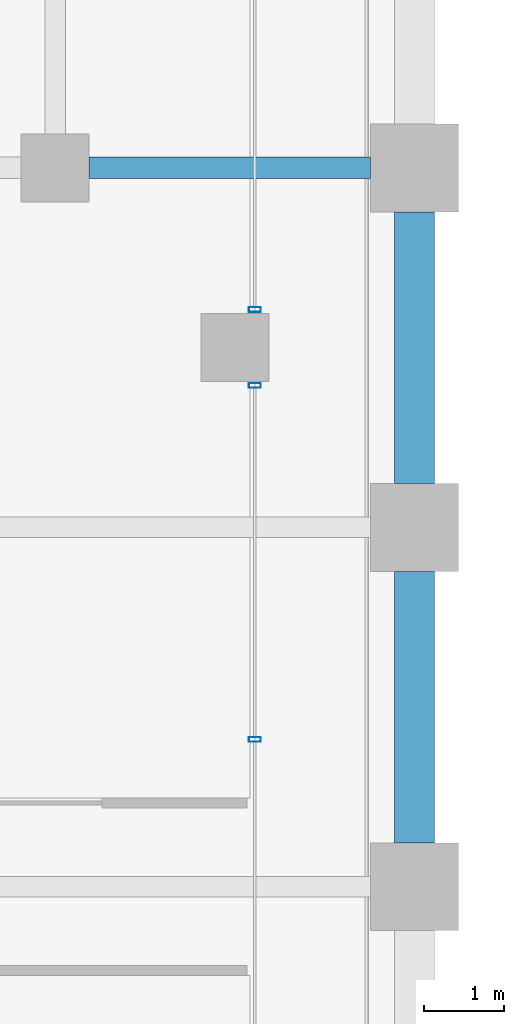
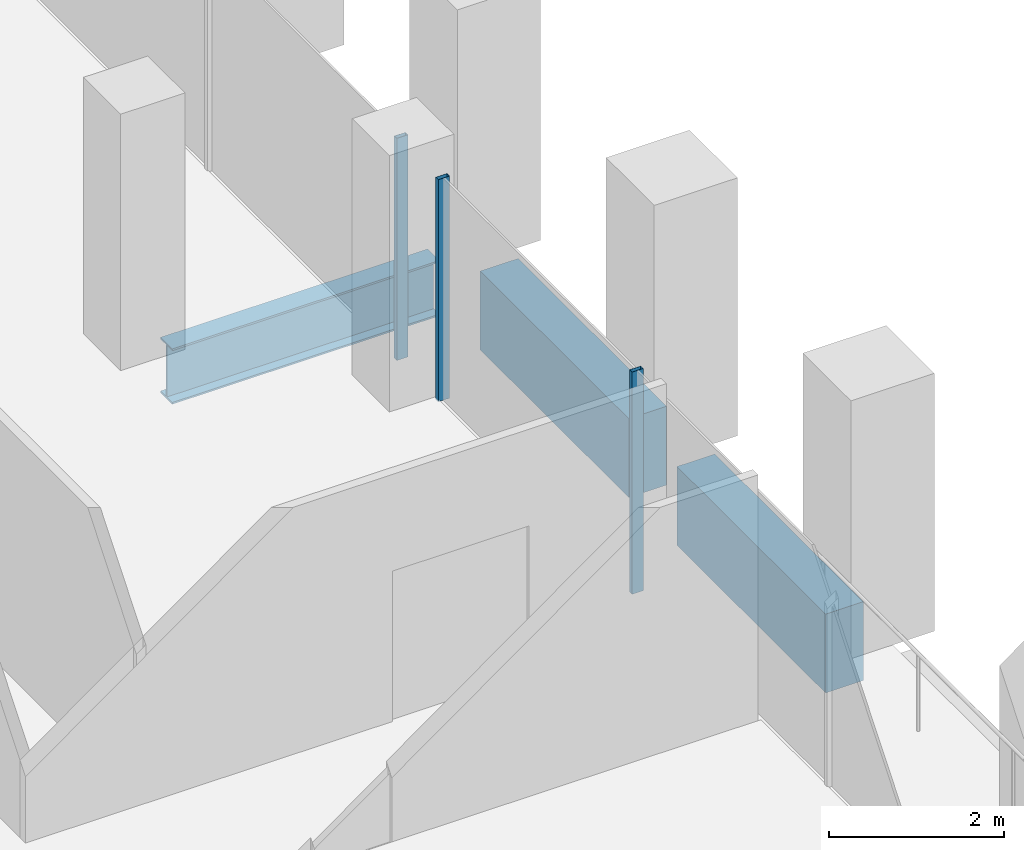
# One storey, part 22 of 54: 3 beams, 3 members, 2 elements without a shape of their own.
"""IFC4 building model written with IfcOpenShell, lengths in metres."""

import ifcopenshell
import ifcopenshell.guid

model = None  # the IFC model being written
_history = None  # IfcOwnerHistory: only IFC2X3 demands one
_inside = {}  # id of a spatial element -> (the spatial element, [elements in it])
_under = {}  # id of a project, library or spatial element -> (it, [spatial elements below it])
_declared = {}  # id of a project -> (the project, [libraries it declares])
_typed = {}  # id of a type object -> (the type object, [elements of that type])
_made_of = {}  # id of a material, layer set ... -> (it, [elements and type objects made of it])


def new_model(schema):
    """Start an empty IFC model of exactly this schema.

    Asked for "IFC4X3", IfcOpenShell would pick the latest addendum, in which some entities
    have other attributes; the version numbers below select the first issue.
    IFC2X3 requires an IfcOwnerHistory on every rooted entity: one is made here for all.
    """
    global model, _history
    if schema == "IFC4X3":
        model = ifcopenshell.file(schema_version=(4, 3, 0, 0))
    else:
        model = ifcopenshell.file(schema=schema)
    _inside.clear()
    _under.clear()
    _declared.clear()
    _typed.clear()
    _made_of.clear()
    _history = None
    if model.schema == "IFC2X3":
        org = make("IfcOrganization", Name="unknown")
        user = make(
            "IfcPersonAndOrganization",
            ThePerson=make("IfcPerson", FamilyName="unknown"),
            TheOrganization=org,
        )
        app = make(
            "IfcApplication",
            ApplicationDeveloper=org,
            Version="unknown",
            ApplicationFullName="unknown",
            ApplicationIdentifier="unknown",
        )
        _history = make(
            "IfcOwnerHistory",
            OwningUser=user,
            OwningApplication=app,
            ChangeAction="ADDED",
            CreationDate=0,
        )
    return model


def make(cls, **values):
    """One entity of the class cls with the attributes given. An attribute that is None is left unset."""
    return model.create_entity(
        cls, **{name: value for name, value in values.items() if value is not None}
    )


def rooted(cls, **values):
    """An entity with a GlobalId (a new one), such as an element, a storey or a relation."""
    return make(cls, GlobalId=ifcopenshell.guid.new(), OwnerHistory=_history, **values)


def si_unit(unit_type, name, prefix=None):
    """IfcSIUnit, for example si_unit("LENGTHUNIT", "METRE", prefix="MILLI")."""
    return make("IfcSIUnit", UnitType=unit_type, Prefix=prefix, Name=name)


def assignment(units):
    """IfcUnitAssignment: the units of a project."""
    return None if units is None else make("IfcUnitAssignment", Units=units)


def point(xyz):
    """IfcCartesianPoint."""
    return None if xyz is None else make("IfcCartesianPoint", Coordinates=xyz)


def direction(xyz):
    """IfcDirection."""
    return None if xyz is None else make("IfcDirection", DirectionRatios=xyz)


def frame(location, z_axis=None, x_axis=None):
    """IfcAxis2Placement3D, a coordinate frame: its origin and axes. An axis left out is left unset."""
    return make(
        "IfcAxis2Placement3D",
        Location=point(location),
        Axis=direction(z_axis),
        RefDirection=direction(x_axis),
    )


def frame_2d(location, x_axis=None):
    """IfcAxis2Placement2D, a coordinate frame in the plane: its origin and x axis."""
    return make(
        "IfcAxis2Placement2D", Location=point(location), RefDirection=direction(x_axis)
    )


def origin():
    """The frame at (0, 0, 0) with its axes left unset."""
    return frame((0.0, 0.0, 0.0))


def origin_2d():
    """The frame at (0, 0) in the plane with its x axis left unset."""
    return frame_2d((0.0, 0.0))


def place(relative_to, where):
    """IfcLocalPlacement: puts the frame where relative to a parent placement (None: the world)."""
    return make(
        "IfcLocalPlacement", PlacementRelTo=relative_to, RelativePlacement=where
    )


def context(
    kind, dimensions, precision=None, world=None, true_north=None, identifier=None
):
    """IfcGeometricRepresentationContext, for example the 3D "Model" context."""
    return make(
        "IfcGeometricRepresentationContext",
        ContextIdentifier=identifier,
        ContextType=kind,
        CoordinateSpaceDimension=dimensions,
        Precision=precision,
        WorldCoordinateSystem=world,
        TrueNorth=true_north,
    )


def subcontext(parent, identifier, kind, view, scale=None):
    """IfcGeometricRepresentationSubContext, for example "Body" below "Model"."""
    return make(
        "IfcGeometricRepresentationSubContext",
        ContextIdentifier=identifier,
        ContextType=kind,
        ParentContext=parent,
        TargetScale=scale,
        TargetView=view,
    )


def project(units=None, contexts=None):
    """IfcProject with its units and contexts."""
    return rooted(
        "IfcProject",
        Name="project",
        RepresentationContexts=contexts,
        UnitsInContext=assignment(units),
    )


def spatial(cls, under=None, at=None, **own):
    """A site, building, storey or space (cls), placed at a placement, below another one or the project."""
    s = rooted(cls, ObjectPlacement=at, **own)
    if under is not None:
        _under.setdefault(under.id(), (under, []))[1].append(s)
    return s


def profile(cls, at=None, kind="AREA", **sizes):
    """A parametric profile (cls). Its sizes go by their IFC names, for example OverallWidth=200.0."""
    return make(cls, ProfileType=kind, Position=at, **sizes)


def rectangle(**sizes):
    """IfcRectangleProfileDef."""
    return profile("IfcRectangleProfileDef", **sizes)


def hollow_rectangle(**sizes):
    """IfcRectangleHollowProfileDef."""
    return profile("IfcRectangleHollowProfileDef", **sizes)


def i_section(**sizes):
    """IfcIShapeProfileDef."""
    return profile("IfcIShapeProfileDef", **sizes)


def extrude(swept, where, along, depth):
    """IfcExtrudedAreaSolid: the profile swept, set in the frame where, extruded along a direction by depth."""
    return make(
        "IfcExtrudedAreaSolid",
        SweptArea=swept,
        Position=where,
        ExtrudedDirection=direction(along),
        Depth=depth,
    )


def shape(context_of_items, identifier, shape_type, items):
    """IfcShapeRepresentation: the items that make up one representation, for example the "Body"."""
    return make(
        "IfcShapeRepresentation",
        ContextOfItems=context_of_items,
        RepresentationIdentifier=identifier,
        RepresentationType=shape_type,
        Items=items,
    )


def material(Name=None, Category=None):
    """IfcMaterial."""
    return make("IfcMaterial", Name=Name, Category=Category)


def material_profile(
    of_material, cross_section, Name=None, Category=None, Priority=None
):
    """IfcMaterialProfile: a cross section and its material."""
    return make(
        "IfcMaterialProfile",
        Name=Name,
        Material=of_material,
        Profile=cross_section,
        Priority=Priority,
        Category=Category,
    )


def profile_set(profiles, Name=None, composite=None):
    """IfcMaterialProfileSet."""
    return make(
        "IfcMaterialProfileSet",
        Name=Name,
        MaterialProfiles=profiles,
        CompositeProfile=composite,
    )


def made_of(thing, what):
    """Note that an element or type object is made of a material, layer set ...; save() writes the relation."""
    if what is not None:
        _made_of.setdefault(what.id(), (what, []))[1].append(thing)
    return thing


def type_object(cls, material=None, **own):
    """A type object (cls), such as IfcWallType, which elements share."""
    return made_of(rooted(cls, **own), material)


def element(
    cls,
    number,
    at=None,
    inside=None,
    cuts=None,
    type_object=None,
    material=None,
    context=None,
    identifier="Body",
    shape_type=None,
    held_by="IfcProductDefinitionShape",
    body=None,
    shapes=None,
    **own,
):
    """One element of the class cls, such as IfcWall. Its Tag is "e" and its number.

    at: its placement. inside: the storey or other place that contains it. cuts: it is an
    opening in that element (IfcRelVoidsElement). A single representation is given by context,
    identifier, shape_type and body (its items); several are given by shapes. held_by: the class
    of the entity that holds the representations. save() writes the other relations.
    """
    e = rooted(cls, Tag="e%d" % number, ObjectPlacement=at, **own)
    if body is not None:
        shapes = [shape(context, identifier, shape_type, body)]
    if shapes is not None:
        e.Representation = make(held_by, Representations=shapes)
    if inside is not None:
        _inside.setdefault(inside.id(), (inside, []))[1].append(e)
    if cuts is not None:
        rooted(
            "IfcRelVoidsElement", RelatingBuildingElement=cuts, RelatedOpeningElement=e
        )
    if type_object is not None:
        _typed.setdefault(type_object.id(), (type_object, []))[1].append(e)
    return made_of(e, material)


def aggregate(whole, parts):
    """IfcRelAggregates: a whole, such as a stair, and the parts it consists of."""
    return rooted("IfcRelAggregates", RelatingObject=whole, RelatedObjects=parts)


def save(model, path):
    """Write the relations noted so far, then the file.

    IfcRelAggregates (storeys below a building ...), IfcRelContainedInSpatialStructure (elements
    in a storey), IfcRelDefinesByType, IfcRelAssociatesMaterial and IfcRelDeclares: one each for
    every whole, place, type object, material and project.
    """
    for whole, parts in _under.values():
        aggregate(whole, parts)
    for where, things in _inside.values():
        rooted(
            "IfcRelContainedInSpatialStructure",
            RelatedElements=things,
            RelatingStructure=where,
        )
    for kind, things in _typed.values():
        rooted("IfcRelDefinesByType", RelatedObjects=things, RelatingType=kind)
    for what, things in _made_of.values():
        rooted("IfcRelAssociatesMaterial", RelatedObjects=things, RelatingMaterial=what)
    for by, libraries in _declared.values():
        rooted("IfcRelDeclares", RelatingContext=by, RelatedDefinitions=libraries)
    model.write(path)


model = new_model("IFC4")

# Units and contexts
model_context = context("Model", 3, precision=1e-05, world=origin(), true_north=direction((0.0, 1.0)))
body_context = subcontext(model_context, "Body", "Model", "MODEL_VIEW")
ifc_project = project(units=[si_unit("LENGTHUNIT", "METRE"), si_unit("AREAUNIT", "SQUARE_METRE"), si_unit("VOLUMEUNIT", "CUBIC_METRE"), si_unit("PLANEANGLEUNIT", "RADIAN"), si_unit("MASSUNIT", "GRAM", prefix="KILO")], contexts=[model_context])

# Site, building, storey
site_placement = place(None, origin())
site = spatial("IfcSite", under=ifc_project, at=site_placement, CompositionType="ELEMENT")
building_placement = place(site_placement, origin())
building = spatial("IfcBuilding", under=site, at=building_placement, Name="Altepetl Exchange Towers", CompositionType="ELEMENT")
storey_placement = place(building_placement, frame((0.0, 0.0, 61.800048828125)))
storey = spatial("IfcBuildingStorey", under=building, at=storey_placement, Name="L14", CompositionType="ELEMENT", Elevation=61.800048828125)

# Beam
ifc_material_1 = material(Name="Steel S355", Category="steel")
ifc_material_profile_1 = material_profile(ifc_material_1, i_section(OverallWidth=0.26806640625, OverallDepth=0.77392578125, WebThickness=0.015380859375, FlangeThickness=0.025390625, at=origin_2d()), Name="W30X132")
ifc_profile_set_1 = profile_set([ifc_material_profile_1], Name="Steel S355")
beam_type_1 = type_object("IfcBeamType", Name="Girder W30X132", PredefinedType="BEAM", material=ifc_profile_set_1)
beam_placement = place(storey_placement, frame((67.925048828125, 58.5, -0.537109375), z_axis=(1.0, 0.0, 0.0), x_axis=(0.0, 1.0, 0.0)))
element("IfcBeam", 1, at=beam_placement, inside=storey, type_object=beam_type_1, Name="gd:A:L14:002", PredefinedType="BEAM", context=body_context, shape_type="SweptSolid", body=[
    extrude(i_section(OverallWidth=0.26806640625, OverallDepth=0.77392578125, WebThickness=0.015380859375, FlangeThickness=0.025390625, at=origin_2d()), origin(), (0.0, 0.0, 1.0), 3.52490234375),
])

# Curtain wall, members
ifc_material_2 = material(Name="Aluminium 6063-T6 glazing", Category="aluminium")
curtain_wall_type = type_object("IfcCurtainWallType", Name="Loggia glazing system", PredefinedType="NOTDEFINED", material=ifc_material_2)
curtain_wall_1_placement = place(storey_placement, origin())
curtain_wall_1 = element("IfcCurtainWall", 2, at=curtain_wall_1_placement, inside=storey, type_object=curtain_wall_type, Name="CW1 run", PredefinedType="NOTDEFINED")
ifc_material_3 = material(Name="Aluminium 6063-T6", Category="aluminium")
ifc_material_profile_2 = material_profile(ifc_material_3, hollow_rectangle(XDim=0.06005859375, YDim=0.14990234375, WallThickness=0.0029296875, at=origin_2d()), Name="Mullion 60x150 aluminium")
ifc_profile_set_2 = profile_set([ifc_material_profile_2], Name="Aluminium 6063-T6")
member_type = type_object("IfcMemberType", Name="Mullion 60x150 aluminium", PredefinedType="MULLION", material=ifc_profile_set_2)
member_1_placement = place(storey_placement, frame((70.0, 51.343994140625, 0.0), z_axis=(0.0, 0.0, 1.0), x_axis=(0.0, 1.0, 0.0)))
member_1 = element("IfcMember", 3, at=member_1_placement, type_object=member_type, Name="MU1 mullion", PredefinedType="MULLION", context=body_context, shape_type="SweptSolid", body=[
    extrude(hollow_rectangle(XDim=0.06005859375, YDim=0.14990234375, WallThickness=0.0029296875, at=origin_2d()), origin(), (0.0, 0.0, 1.0), 3.099853515625),
])
member_2_placement = place(storey_placement, frame((70.0, 55.77490234375, 0.0), z_axis=(0.0, 0.0, 1.0), x_axis=(0.0, 1.0, 0.0)))
member_2 = element("IfcMember", 4, at=member_2_placement, type_object=member_type, Name="MU1 mullion", PredefinedType="MULLION", context=body_context, shape_type="SweptSolid", body=[
    extrude(hollow_rectangle(XDim=0.06005859375, YDim=0.14990234375, WallThickness=0.0029296875, at=origin_2d()), origin(), (0.0, 0.0, 1.0), 3.099853515625),
])
aggregate(curtain_wall_1, [member_1, member_2])

# Curtain wall, member
curtain_wall_2_placement = place(storey_placement, origin())
curtain_wall_2 = element("IfcCurtainWall", 5, at=curtain_wall_2_placement, inside=storey, type_object=curtain_wall_type, Name="CW1 run", PredefinedType="NOTDEFINED")
member_3_placement = place(storey_placement, frame((70.0, 56.72509765625, 0.0), z_axis=(0.0, 0.0, 1.0), x_axis=(0.0, 1.0, 0.0)))
member_3 = element("IfcMember", 6, at=member_3_placement, type_object=member_type, Name="MU1 mullion", PredefinedType="MULLION", context=body_context, shape_type="SweptSolid", body=[
    extrude(hollow_rectangle(XDim=0.06005859375, YDim=0.14990234375, WallThickness=0.0029296875, at=origin_2d()), origin(), (0.0, 0.0, 1.0), 3.099853515625),
])
aggregate(curtain_wall_2, [member_3])

# Beams
ifc_material_4 = material(Name="Concrete C50/60 precast with cantera amarilla facing", Category="concrete")
ifc_material_profile_3 = material_profile(ifc_material_4, rectangle(XDim=0.5, YDim=1.10009765625, at=origin_2d()), Name="500 x 1100")
ifc_profile_set_3 = profile_set([ifc_material_profile_3], Name="Concrete C50/60 precast with cantera amarilla facing")
beam_type_2 = type_object("IfcBeamType", Name="Spandrel beam 500x1100 cantera amarilla", PredefinedType="SPANDREL", material=ifc_profile_set_3)
for number, where, z_axis, x_axis, name in (
    (7, (72.0, 50.050048828125, -0.699951171875), (0.0, 1.0, 0.0), (-1.0, 0.0, 0.0), "sp:A:L14:016"),
    (8, (72.0, 54.550048828125, -0.699951171875), (0.0, 1.0, 0.0), (-1.0, 0.0, 0.0), "sp:A:L14:017"),
):
    element("IfcBeam", number, at=place(storey_placement, frame(where, z_axis=z_axis, x_axis=x_axis)), inside=storey, type_object=beam_type_2, Name=name, PredefinedType="SPANDREL", context=body_context, shape_type="SweptSolid", body=[
        extrude(rectangle(XDim=0.5, YDim=1.10009765625, at=origin_2d()), origin(), (0.0, 0.0, 1.0), 3.39990234375),
    ])

save(model, "model.ifc")
